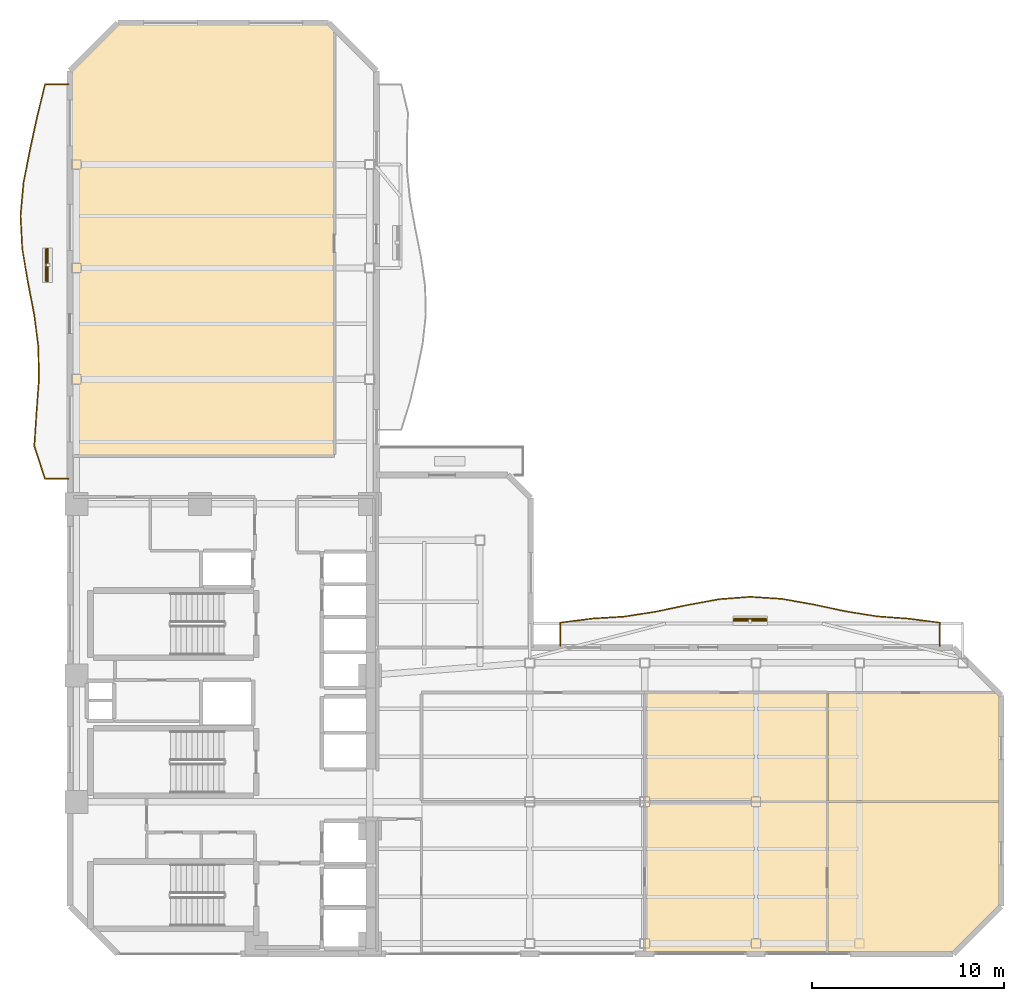
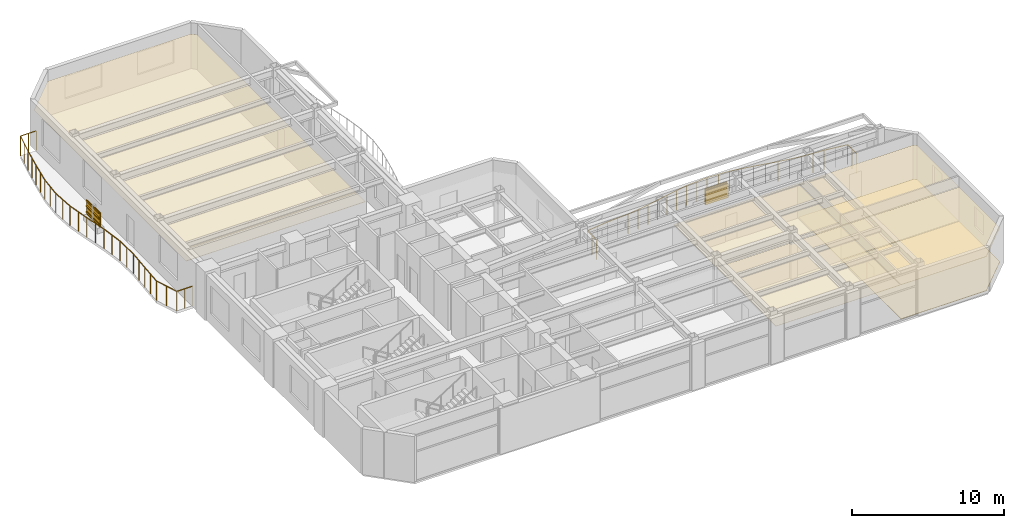
# One storey, part 14 of 15: 8 shading devices, 7 coverings, 2 railings.
"""IFC4 building model written with IfcOpenShell, lengths in metres."""

from ifc_helpers import new_model, si_unit, direction, frame, origin, origin_2d, place, context, subcontext, project, spatial, polyline, rectangle, outline, extrude, material, layer, layer_set, material_profile, profile_set, type_object, element, save


model = new_model("IFC4")

# Units and contexts
model_context = context("Model", 3, precision=1e-05, world=origin(), true_north=direction((0.0, 1.0)))
body_context = subcontext(model_context, "Body", "Model", "MODEL_VIEW")
ifc_project = project(units=[si_unit("LENGTHUNIT", "METRE"), si_unit("AREAUNIT", "SQUARE_METRE"), si_unit("VOLUMEUNIT", "CUBIC_METRE"), si_unit("PLANEANGLEUNIT", "RADIAN"), si_unit("MASSUNIT", "GRAM", prefix="KILO")], contexts=[model_context])

# Site, building, storey
site_placement = place(None, origin())
site = spatial("IfcSite", under=ifc_project, at=site_placement, CompositionType="ELEMENT")
building_placement = place(site_placement, origin())
building = spatial("IfcBuilding", under=site, at=building_placement, Name="Mawjaban Terraces University", CompositionType="ELEMENT")
storey_placement = place(building_placement, frame((0.0, 0.0, 142.39990234375)))
storey = spatial("IfcBuildingStorey", under=building, at=storey_placement, Name="L34", CompositionType="ELEMENT", Elevation=142.39990234375)

# Coverings
ifc_material_1 = material(Name="Acoustic mineral fibre ceiling tile", Category="masonry")
ifc_layer_1 = layer(ifc_material_1, 0.02001953125)
ifc_layer_set_1 = layer_set([ifc_layer_1], Name="Acoustic mineral fibre ceiling tile")
covering_type_1 = type_object("IfcCoveringType", Name="AcousticMineralCeiling_20", PredefinedType="CEILING", material=ifc_layer_set_1)
covering_1_placement = place(storey_placement, frame((0.0, 0.0, 2.75)))
element("IfcCovering", 1, at=covering_1_placement, inside=storey, type_object=covering_type_1, Name="L34 Graduate Study Lounge 4 Acoustic Ceiling", PredefinedType="CEILING", context=body_context, shape_type="SweptSolid", body=[
    extrude(outline(polyline([(52.030029296875, 0.114990234375), (61.4951171875, 0.114990234375), (61.4951171875, 7.919921875), (52.030029296875, 7.919921875), (52.030029296875, 0.114990234375)])), origin(), (0.0, 0.0, 1.0), 0.02001953125),
])
covering_2_placement = place(storey_placement, frame((0.0, 0.0, 2.75)))
element("IfcCovering", 2, at=covering_2_placement, inside=storey, type_object=covering_type_1, Name="L34 Collaborative Study Room 5 Acoustic Ceiling", PredefinedType="CEILING", context=body_context, shape_type="SweptSolid", body=[
    extrude(outline(polyline([(61.4951171875, 7.97998046875), (61.4951171875, 13.6201171875), (52.030029296875, 13.6201171875), (52.030029296875, 7.97998046875), (61.4951171875, 7.97998046875)])), origin(), (0.0, 0.0, 1.0), 0.02001953125),
])
covering_3_placement = place(storey_placement, frame((0.0, 0.0, 2.75)))
element("IfcCovering", 3, at=covering_3_placement, inside=storey, type_object=covering_type_1, Name="L34 Classroom 6 Acoustic Ceiling", PredefinedType="CEILING", context=body_context, shape_type="SweptSolid", body=[
    extrude(outline(polyline([(61.554931640625, 0.114990234375), (68.052978515625, 0.114990234375), (70.485107421875, 2.547119140625), (70.485107421875, 7.919921875), (61.554931640625, 7.919921875), (61.554931640625, 0.114990234375)])), origin(), (0.0, 0.0, 1.0), 0.02001953125),
])
covering_4_placement = place(storey_placement, frame((0.0, 0.0, 2.75)))
element("IfcCovering", 4, at=covering_4_placement, inside=storey, type_object=covering_type_1, Name="L34 Seminar Room 7 Acoustic Ceiling", PredefinedType="CEILING", context=body_context, shape_type="SweptSolid", body=[
    extrude(outline(polyline([(70.485107421875, 7.97998046875), (70.485107421875, 13.452880859375), (70.318115234375, 13.6201171875), (61.554931640625, 13.6201171875), (61.554931640625, 7.97998046875), (70.485107421875, 7.97998046875)])), origin(), (0.0, 0.0, 1.0), 0.02001953125),
])
covering_5_placement = place(storey_placement, frame((0.0, 0.0, 2.75)))
element("IfcCovering", 5, at=covering_5_placement, inside=storey, type_object=covering_type_1, Name="L34 Collaborative Study Room 8 Acoustic Ceiling", PredefinedType="CEILING", context=body_context, shape_type="SweptSolid", body=[
    extrude(outline(polyline([(35.77001953125, 48.16796875), (35.452880859375, 48.485107421875), (24.547119140625, 48.485107421875), (22.114990234375, 46.052978515625), (22.114990234375, 26.030029296875), (35.77001953125, 26.030029296875), (35.77001953125, 48.16796875)])), origin(), (0.0, 0.0, 1.0), 0.02001953125),
])

# Railings
ifc_material_2 = material(Name="Galvanised powder-coated steel S355", Category="steel")
railing_type = type_object("IfcRailingType", Name="BalconyBalustrade_1600", PredefinedType="BALUSTRADE", material=ifc_material_2)
railing_1_placement = place(storey_placement, frame((21.919921875, 24.800048828125, 0.0)))
element("IfcRailing", 6, at=railing_1_placement, inside=storey, type_object=railing_type, Name="L34 Balcony Guardrail west", PredefinedType="BALUSTRADE", context=body_context, shape_type="SweptSolid", body=[
    extrude(rectangle(XDim=0.048095703125, YDim=0.048095703125, at=origin_2d()), frame((0.0, 0.0, 1.576171875), z_axis=(-1.0, 0.0, 0.0), x_axis=(0.0, -1.0, 0.0)), (0.0, 0.0, 1.0), 1.219970703125),
    extrude(rectangle(XDim=0.048095703125, YDim=0.048095703125, at=origin_2d()), frame((-1.219970703125, 0.0, 1.576171875), z_axis=(-0.310586221514, 0.950545211448, 0.0), x_axis=(-0.950545211448, -0.310586221514, 0.0)), (0.0, 0.0, 1.0), 1.806396484375),
    extrude(rectangle(XDim=0.048095703125, YDim=0.048095703125, at=origin_2d()), frame((-1.781005859375, 1.717041015625, 1.576171875), z_axis=(0.064605783038, 0.997910864155, 0.0), x_axis=(-0.997910864155, 0.064605783038, 0.0)), (0.0, 0.0, 1.0), 1.719482421875),
    extrude(rectangle(XDim=0.048095703125, YDim=0.048095703125, at=origin_2d()), frame((-1.669921875, 3.432861328125, 1.576171875), z_axis=(0.073171731503, 0.997319355928, 0.0), x_axis=(-0.997319355928, 0.073171731503, 0.0)), (0.0, 0.0, 1.0), 1.7216796875),
    extrude(rectangle(XDim=0.048095703125, YDim=0.048095703125, at=origin_2d()), frame((-1.5439453125, 5.14990234375, 1.576171875), z_axis=(-0.014501531981, 0.999894847257, 0.0), x_axis=(-0.999894847257, -0.014501531981, 0.0)), (0.0, 0.0, 1.0), 1.71728515625),
    extrude(rectangle(XDim=0.048095703125, YDim=0.048095703125, at=origin_2d()), frame((-1.56884765625, 6.866943359375, 1.576171875), z_axis=(-0.127142957302, 0.991884402745, 0.0), x_axis=(-0.991884402745, -0.127142957302, 0.0)), (0.0, 0.0, 1.0), 1.730224609375),
    extrude(rectangle(XDim=0.048095703125, YDim=0.048095703125, at=origin_2d()), frame((-1.788818359375, 8.5830078125, 1.576171875), z_axis=(-0.190933166115, 0.981603038951, 0.0), x_axis=(-0.981603038951, -0.190933166115, 0.0)), (0.0, 0.0, 1.0), 1.749267578125),
    extrude(rectangle(XDim=0.048095703125, YDim=0.048095703125, at=origin_2d()), frame((-2.122802734375, 10.300048828125, 1.576171875), z_axis=(-0.16494483583, 0.986302793838, 0.0), x_axis=(-0.986302793838, -0.16494483583, 0.0)), (0.0, 0.0, 1.0), 1.74072265625),
    extrude(rectangle(XDim=0.048095703125, YDim=0.048095703125, at=origin_2d()), frame((-2.409912109375, 12.016845703125, 1.576171875), z_axis=(-0.05299131101, 0.998594973429, 0.0), x_axis=(-0.998594973429, -0.05299131101, 0.0)), (0.0, 0.0, 1.0), 1.718505859375),
    extrude(rectangle(XDim=0.048095703125, YDim=0.048095703125, at=origin_2d()), frame((-2.5009765625, 13.73291015625, 1.576171875), z_axis=(0.090484675787, 0.995897847898, 0.0), x_axis=(-0.995897847898, 0.090484675787, 0.0)), (0.0, 0.0, 1.0), 1.72412109375),
    extrude(rectangle(XDim=0.048095703125, YDim=0.048095703125, at=origin_2d()), frame((-2.344970703125, 15.449951171875, 1.576171875), z_axis=(0.191471011635, 0.981498268824, 0.0), x_axis=(-0.981498268824, 0.191471011635, 0.0)), (0.0, 0.0, 1.0), 1.74951171875),
    extrude(rectangle(XDim=0.048095703125, YDim=0.048095703125, at=origin_2d()), frame((-2.010009765625, 17.1669921875, 1.576171875), z_axis=(0.2118927879, 0.977292917418, 0.0), x_axis=(-0.977292917418, 0.2118927879, 0.0)), (0.0, 0.0, 1.0), 1.755859375),
    extrude(rectangle(XDim=0.048095703125, YDim=0.048095703125, at=origin_2d()), frame((-1.637939453125, 18.883056640625, 1.576171875), z_axis=(0.236549016083, 0.971619556715, 0.0), x_axis=(-0.971619556715, 0.236549016083, 0.0)), (0.0, 0.0, 1.0), 1.766845703125),
    extrude(rectangle(XDim=0.048095703125, YDim=0.048095703125, at=origin_2d()), frame((-1.219970703125, 20.599853515625, 1.576171875), z_axis=(1.0, 0.0, 0.0), x_axis=(0.0, 1.0, 0.0)), (0.0, 0.0, 1.0), 1.219970703125),
    extrude(rectangle(XDim=0.0419921875, YDim=0.0419921875, at=origin_2d()), origin(), (0.0, 0.0, 1.0), 1.552001953125),
    extrude(rectangle(XDim=0.0419921875, YDim=0.0419921875, at=origin_2d()), frame((-0.60986328125, 0.0, 0.0)), (0.0, 0.0, 1.0), 1.552001953125),
    extrude(rectangle(XDim=0.0419921875, YDim=0.0419921875, at=origin_2d()), frame((-1.219970703125, 0.0, 0.0)), (0.0, 0.0, 1.0), 1.552001953125),
    extrude(rectangle(XDim=0.0419921875, YDim=0.0419921875, at=origin_2d()), frame((-1.50048828125, 0.8583984375, 0.0)), (0.0, 0.0, 1.0), 1.552001953125),
    extrude(rectangle(XDim=0.0419921875, YDim=0.0419921875, at=origin_2d()), frame((-1.781005859375, 1.717041015625, 0.0)), (0.0, 0.0, 1.0), 1.552001953125),
    extrude(rectangle(XDim=0.0419921875, YDim=0.0419921875, at=origin_2d()), frame((-1.7255859375, 2.574951171875, 0.0)), (0.0, 0.0, 1.0), 1.552001953125),
    extrude(rectangle(XDim=0.0419921875, YDim=0.0419921875, at=origin_2d()), frame((-1.669921875, 3.432861328125, 0.0)), (0.0, 0.0, 1.0), 1.552001953125),
    extrude(rectangle(XDim=0.0419921875, YDim=0.0419921875, at=origin_2d()), frame((-1.60693359375, 4.29150390625, 0.0)), (0.0, 0.0, 1.0), 1.552001953125),
    extrude(rectangle(XDim=0.0419921875, YDim=0.0419921875, at=origin_2d()), frame((-1.5439453125, 5.14990234375, 0.0)), (0.0, 0.0, 1.0), 1.552001953125),
    extrude(rectangle(XDim=0.0419921875, YDim=0.0419921875, at=origin_2d()), frame((-1.556396484375, 6.00830078125, 0.0)), (0.0, 0.0, 1.0), 1.552001953125),
    extrude(rectangle(XDim=0.0419921875, YDim=0.0419921875, at=origin_2d()), frame((-1.56884765625, 6.866943359375, 0.0)), (0.0, 0.0, 1.0), 1.552001953125),
    extrude(rectangle(XDim=0.0419921875, YDim=0.0419921875, at=origin_2d()), frame((-1.6787109375, 7.72509765625, 0.0)), (0.0, 0.0, 1.0), 1.552001953125),
    extrude(rectangle(XDim=0.0419921875, YDim=0.0419921875, at=origin_2d()), frame((-1.788818359375, 8.5830078125, 0.0)), (0.0, 0.0, 1.0), 1.552001953125),
    extrude(rectangle(XDim=0.0419921875, YDim=0.0419921875, at=origin_2d()), frame((-1.955810546875, 9.44140625, 0.0)), (0.0, 0.0, 1.0), 1.552001953125),
    extrude(rectangle(XDim=0.0419921875, YDim=0.0419921875, at=origin_2d()), frame((-2.122802734375, 10.300048828125, 0.0)), (0.0, 0.0, 1.0), 1.552001953125),
    extrude(rectangle(XDim=0.0419921875, YDim=0.0419921875, at=origin_2d()), frame((-2.266357421875, 11.158447265625, 0.0)), (0.0, 0.0, 1.0), 1.552001953125),
    extrude(rectangle(XDim=0.0419921875, YDim=0.0419921875, at=origin_2d()), frame((-2.409912109375, 12.016845703125, 0.0)), (0.0, 0.0, 1.0), 1.552001953125),
    extrude(rectangle(XDim=0.0419921875, YDim=0.0419921875, at=origin_2d()), frame((-2.45556640625, 12.875, 0.0)), (0.0, 0.0, 1.0), 1.552001953125),
    extrude(rectangle(XDim=0.0419921875, YDim=0.0419921875, at=origin_2d()), frame((-2.5009765625, 13.73291015625, 0.0)), (0.0, 0.0, 1.0), 1.552001953125),
    extrude(rectangle(XDim=0.0419921875, YDim=0.0419921875, at=origin_2d()), frame((-2.4228515625, 14.59130859375, 0.0)), (0.0, 0.0, 1.0), 1.552001953125),
    extrude(rectangle(XDim=0.0419921875, YDim=0.0419921875, at=origin_2d()), frame((-2.344970703125, 15.449951171875, 0.0)), (0.0, 0.0, 1.0), 1.552001953125),
    extrude(rectangle(XDim=0.0419921875, YDim=0.0419921875, at=origin_2d()), frame((-2.177490234375, 16.30859375, 0.0)), (0.0, 0.0, 1.0), 1.552001953125),
    extrude(rectangle(XDim=0.0419921875, YDim=0.0419921875, at=origin_2d()), frame((-2.010009765625, 17.1669921875, 0.0)), (0.0, 0.0, 1.0), 1.552001953125),
    extrude(rectangle(XDim=0.0419921875, YDim=0.0419921875, at=origin_2d()), frame((-1.823974609375, 18.02490234375, 0.0)), (0.0, 0.0, 1.0), 1.552001953125),
    extrude(rectangle(XDim=0.0419921875, YDim=0.0419921875, at=origin_2d()), frame((-1.637939453125, 18.883056640625, 0.0)), (0.0, 0.0, 1.0), 1.552001953125),
    extrude(rectangle(XDim=0.0419921875, YDim=0.0419921875, at=origin_2d()), frame((-1.428955078125, 19.741455078125, 0.0)), (0.0, 0.0, 1.0), 1.552001953125),
    extrude(rectangle(XDim=0.0419921875, YDim=0.0419921875, at=origin_2d()), frame((-1.219970703125, 20.599853515625, 0.0)), (0.0, 0.0, 1.0), 1.552001953125),
    extrude(rectangle(XDim=0.0419921875, YDim=0.0419921875, at=origin_2d()), frame((-0.60986328125, 20.599853515625, 0.0)), (0.0, 0.0, 1.0), 1.552001953125),
    extrude(rectangle(XDim=0.0419921875, YDim=0.0419921875, at=origin_2d()), frame((0.0, 20.599853515625, 0.0)), (0.0, 0.0, 1.0), 1.552001953125),
])
railing_2_placement = place(storey_placement, frame((47.59912109375, 16.080078125, 0.0)))
element("IfcRailing", 7, at=railing_2_placement, inside=storey, type_object=railing_type, Name="L34 Balcony Guardrail inner_north", PredefinedType="BALUSTRADE", context=body_context, shape_type="SweptSolid", body=[
    extrude(rectangle(XDim=0.048095703125, YDim=0.048095703125, at=origin_2d()), frame((0.0, 0.0, 1.576171875), z_axis=(0.0, 1.0, 0.0), x_axis=(-1.0, 0.0, 0.0)), (0.0, 0.0, 1.0), 1.219970703125),
    extrude(rectangle(XDim=0.048095703125, YDim=0.048095703125, at=origin_2d()), frame((0.0, 1.219970703125, 1.576171875), z_axis=(0.991777866634, 0.12797133763, 0.0), x_axis=(-0.12797133763, 0.991777866634, 0.0)), (0.0, 0.0, 1.0), 1.66357421875),
    extrude(rectangle(XDim=0.048095703125, YDim=0.048095703125, at=origin_2d()), frame((1.64990234375, 1.432861328125, 1.576171875), z_axis=(0.99809259794, 0.061734641305, 0.0), x_axis=(-0.061734641305, 0.99809259794, 0.0)), (0.0, 0.0, 1.0), 1.653076171875),
    extrude(rectangle(XDim=0.048095703125, YDim=0.048095703125, at=origin_2d()), frame((3.2998046875, 1.534912109375, 1.576171875), z_axis=(0.988456078413, 0.151507693037, 0.0), x_axis=(-0.151507693037, 0.988456078413, 0.0)), (0.0, 0.0, 1.0), 1.66943359375),
    extrude(rectangle(XDim=0.048095703125, YDim=0.048095703125, at=origin_2d()), frame((4.949951171875, 1.787841796875, 1.576171875), z_axis=(0.97857128869, 0.205908312003, 0.0), x_axis=(-0.205908312003, 0.97857128869, 0.0)), (0.0, 0.0, 1.0), 1.68603515625),
    extrude(rectangle(XDim=0.048095703125, YDim=0.048095703125, at=origin_2d()), frame((6.599853515625, 2.135009765625, 1.576171875), z_axis=(0.983351397063, 0.181714143354, 0.0), x_axis=(-0.181714143354, 0.983351397063, 0.0)), (0.0, 0.0, 1.0), 1.677978515625),
    extrude(rectangle(XDim=0.048095703125, YDim=0.048095703125, at=origin_2d()), frame((8.25, 2.43994140625, 1.576171875), z_axis=(0.996915788959, 0.078478721475, 0.0), x_axis=(-0.078478721475, 0.996915788959, 0.0)), (0.0, 0.0, 1.0), 1.655029296875),
    extrude(rectangle(XDim=0.048095703125, YDim=0.048095703125, at=origin_2d()), frame((9.89990234375, 2.56982421875, 1.576171875), z_axis=(0.997946664586, -0.064050407044, 0.0), x_axis=(0.064050407044, 0.997946664586, 0.0)), (0.0, 0.0, 1.0), 1.654296875),
    extrude(rectangle(XDim=0.048095703125, YDim=0.048095703125, at=origin_2d()), frame((11.55078125, 2.4638671875, 1.576171875), z_axis=(0.984602648233, -0.174807394271, 0.0), x_axis=(0.174807394271, 0.984602648233, 0.0)), (0.0, 0.0, 1.0), 1.676025390625),
    extrude(rectangle(XDim=0.048095703125, YDim=0.048095703125, at=origin_2d()), frame((13.200927734375, 2.1708984375, 1.576171875), z_axis=(0.978102167912, -0.208125320725, 0.0), x_axis=(0.208125320725, 0.978102167912, 0.0)), (0.0, 0.0, 1.0), 1.686767578125),
    extrude(rectangle(XDim=0.048095703125, YDim=0.048095703125, at=origin_2d()), frame((14.850830078125, 1.81982421875, 1.576171875), z_axis=(0.987083640543, -0.160205763231, 0.0), x_axis=(0.160205763231, 0.987083640543, 0.0)), (0.0, 0.0, 1.0), 1.671630859375),
    extrude(rectangle(XDim=0.048095703125, YDim=0.048095703125, at=origin_2d()), frame((16.5009765625, 1.552001953125, 1.576171875), z_axis=(0.997317456816, -0.073197611509, 0.0), x_axis=(0.073197611509, 0.997317456816, 0.0)), (0.0, 0.0, 1.0), 1.654296875),
    extrude(rectangle(XDim=0.048095703125, YDim=0.048095703125, at=origin_2d()), frame((18.15087890625, 1.430908203125, 1.576171875), z_axis=(0.991926225674, -0.126816256138, 0.0), x_axis=(0.126816256138, 0.991926225674, 0.0)), (0.0, 0.0, 1.0), 1.663330078125),
    extrude(rectangle(XDim=0.048095703125, YDim=0.048095703125, at=origin_2d()), frame((19.80078125, 1.219970703125, 1.576171875), z_axis=(0.0, -1.0, 0.0), x_axis=(1.0, 0.0, 0.0)), (0.0, 0.0, 1.0), 1.219970703125),
    extrude(rectangle(XDim=0.0419921875, YDim=0.0419921875, at=origin_2d()), origin(), (0.0, 0.0, 1.0), 1.552001953125),
    extrude(rectangle(XDim=0.0419921875, YDim=0.0419921875, at=origin_2d()), frame((0.0, 0.60986328125, 0.0)), (0.0, 0.0, 1.0), 1.552001953125),
    extrude(rectangle(XDim=0.0419921875, YDim=0.0419921875, at=origin_2d()), frame((0.0, 1.219970703125, 0.0)), (0.0, 0.0, 1.0), 1.552001953125),
    extrude(rectangle(XDim=0.0419921875, YDim=0.0419921875, at=origin_2d()), frame((0.824951171875, 1.326416015625, 0.0)), (0.0, 0.0, 1.0), 1.552001953125),
    extrude(rectangle(XDim=0.0419921875, YDim=0.0419921875, at=origin_2d()), frame((1.64990234375, 1.432861328125, 0.0)), (0.0, 0.0, 1.0), 1.552001953125),
    extrude(rectangle(XDim=0.0419921875, YDim=0.0419921875, at=origin_2d()), frame((2.474853515625, 1.48388671875, 0.0)), (0.0, 0.0, 1.0), 1.552001953125),
    extrude(rectangle(XDim=0.0419921875, YDim=0.0419921875, at=origin_2d()), frame((3.2998046875, 1.534912109375, 0.0)), (0.0, 0.0, 1.0), 1.552001953125),
    extrude(rectangle(XDim=0.0419921875, YDim=0.0419921875, at=origin_2d()), frame((4.125, 1.661376953125, 0.0)), (0.0, 0.0, 1.0), 1.552001953125),
    extrude(rectangle(XDim=0.0419921875, YDim=0.0419921875, at=origin_2d()), frame((4.949951171875, 1.787841796875, 0.0)), (0.0, 0.0, 1.0), 1.552001953125),
    extrude(rectangle(XDim=0.0419921875, YDim=0.0419921875, at=origin_2d()), frame((5.77490234375, 1.96142578125, 0.0)), (0.0, 0.0, 1.0), 1.552001953125),
    extrude(rectangle(XDim=0.0419921875, YDim=0.0419921875, at=origin_2d()), frame((6.599853515625, 2.135009765625, 0.0)), (0.0, 0.0, 1.0), 1.552001953125),
    extrude(rectangle(XDim=0.0419921875, YDim=0.0419921875, at=origin_2d()), frame((7.4248046875, 2.28759765625, 0.0)), (0.0, 0.0, 1.0), 1.552001953125),
    extrude(rectangle(XDim=0.0419921875, YDim=0.0419921875, at=origin_2d()), frame((8.25, 2.43994140625, 0.0)), (0.0, 0.0, 1.0), 1.552001953125),
    extrude(rectangle(XDim=0.0419921875, YDim=0.0419921875, at=origin_2d()), frame((9.074951171875, 2.5048828125, 0.0)), (0.0, 0.0, 1.0), 1.552001953125),
    extrude(rectangle(XDim=0.0419921875, YDim=0.0419921875, at=origin_2d()), frame((9.89990234375, 2.56982421875, 0.0)), (0.0, 0.0, 1.0), 1.552001953125),
    extrude(rectangle(XDim=0.0419921875, YDim=0.0419921875, at=origin_2d()), frame((10.725341796875, 2.516845703125, 0.0)), (0.0, 0.0, 1.0), 1.552001953125),
    extrude(rectangle(XDim=0.0419921875, YDim=0.0419921875, at=origin_2d()), frame((11.55078125, 2.4638671875, 0.0)), (0.0, 0.0, 1.0), 1.552001953125),
    extrude(rectangle(XDim=0.0419921875, YDim=0.0419921875, at=origin_2d()), frame((12.3759765625, 2.3173828125, 0.0)), (0.0, 0.0, 1.0), 1.552001953125),
    extrude(rectangle(XDim=0.0419921875, YDim=0.0419921875, at=origin_2d()), frame((13.200927734375, 2.1708984375, 0.0)), (0.0, 0.0, 1.0), 1.552001953125),
    extrude(rectangle(XDim=0.0419921875, YDim=0.0419921875, at=origin_2d()), frame((14.02587890625, 1.995361328125, 0.0)), (0.0, 0.0, 1.0), 1.552001953125),
    extrude(rectangle(XDim=0.0419921875, YDim=0.0419921875, at=origin_2d()), frame((14.850830078125, 1.81982421875, 0.0)), (0.0, 0.0, 1.0), 1.552001953125),
    extrude(rectangle(XDim=0.0419921875, YDim=0.0419921875, at=origin_2d()), frame((15.67578125, 1.68603515625, 0.0)), (0.0, 0.0, 1.0), 1.552001953125),
    extrude(rectangle(XDim=0.0419921875, YDim=0.0419921875, at=origin_2d()), frame((16.5009765625, 1.552001953125, 0.0)), (0.0, 0.0, 1.0), 1.552001953125),
    extrude(rectangle(XDim=0.0419921875, YDim=0.0419921875, at=origin_2d()), frame((17.325927734375, 1.491455078125, 0.0)), (0.0, 0.0, 1.0), 1.552001953125),
    extrude(rectangle(XDim=0.0419921875, YDim=0.0419921875, at=origin_2d()), frame((18.15087890625, 1.430908203125, 0.0)), (0.0, 0.0, 1.0), 1.552001953125),
    extrude(rectangle(XDim=0.0419921875, YDim=0.0419921875, at=origin_2d()), frame((18.975830078125, 1.325439453125, 0.0)), (0.0, 0.0, 1.0), 1.552001953125),
    extrude(rectangle(XDim=0.0419921875, YDim=0.0419921875, at=origin_2d()), frame((19.80078125, 1.219970703125, 0.0)), (0.0, 0.0, 1.0), 1.552001953125),
    extrude(rectangle(XDim=0.0419921875, YDim=0.0419921875, at=origin_2d()), frame((19.80078125, 0.60986328125, 0.0)), (0.0, 0.0, 1.0), 1.552001953125),
    extrude(rectangle(XDim=0.0419921875, YDim=0.0419921875, at=origin_2d()), frame((19.80078125, 0.0, 0.0)), (0.0, 0.0, 1.0), 1.552001953125),
])

# Shading devices
ifc_material_3 = material(Name="Glazed architectural terracotta ceramic", Category="masonry")
ifc_material_profile = material_profile(ifc_material_3, rectangle(XDim=0.06494140625, YDim=0.110107421875, at=origin_2d()), Name="TBAG110X65")
ifc_profile_set = profile_set([ifc_material_profile], Name="Glazed architectural terracotta ceramic")
shading_device_type_1 = type_object("IfcShadingDeviceType", Name="TerracottaBaguette_110x65", PredefinedType="USERDEFINED", material=ifc_profile_set)
for number, where, z_axis, x_axis, name in (
    (8, (20.7470703125, 35.10888671875, 0.68017578125), (0.0, 1.0, 0.0), (-1.0, 0.0, 0.0), "L34 Horizontal Terracotta Baguette west.1"),
    (9, (20.7470703125, 35.10888671875, 1.150146484375), (0.0, 1.0, 0.0), (-1.0, 0.0, 0.0), "L34 Horizontal Terracotta Baguette west.2"),
    (10, (20.7470703125, 35.10888671875, 1.6201171875), (0.0, 1.0, 0.0), (-1.0, 0.0, 0.0), "L34 Horizontal Terracotta Baguette west.3"),
):
    element("IfcShadingDevice", number, at=place(storey_placement, frame(where, z_axis=z_axis, x_axis=x_axis)), inside=storey, type_object=shading_device_type_1, Name=name, ObjectType="BAGUETTE", PredefinedType="USERDEFINED", context=body_context, shape_type="SweptSolid", body=[
        extrude(rectangle(XDim=0.06494140625, YDim=0.110107421875, at=origin_2d()), origin(), (0.0, 0.0, 1.0), 1.7001953125),
    ])
for number, where, z_axis, x_axis, name in (
    (11, (56.64599609375, 17.489990234375, 0.68017578125), (1.0, 0.0, 0.0), (0.0, 1.0, 0.0), "L34 Horizontal Terracotta Baguette inner_north.1"),
    (12, (56.64599609375, 17.489990234375, 1.150146484375), (1.0, 0.0, 0.0), (0.0, 1.0, 0.0), "L34 Horizontal Terracotta Baguette inner_north.2"),
    (13, (56.64599609375, 17.489990234375, 1.6201171875), (1.0, 0.0, 0.0), (0.0, 1.0, 0.0), "L34 Horizontal Terracotta Baguette inner_north.3"),
):
    element("IfcShadingDevice", number, at=place(storey_placement, frame(where, z_axis=z_axis, x_axis=x_axis)), inside=storey, type_object=shading_device_type_1, Name=name, ObjectType="BAGUETTE", PredefinedType="USERDEFINED", context=body_context, shape_type="SweptSolid", body=[
        extrude(rectangle(XDim=0.06494140625, YDim=0.110107421875, at=origin_2d()), origin(), (0.0, 0.0, 1.0), 1.699951171875),
    ])
ifc_layer_2 = layer(ifc_material_3, 0.080078125)
ifc_layer_set_2 = layer_set([ifc_layer_2], Name="Glazed architectural terracotta ceramic")
shading_device_type_2 = type_object("IfcShadingDeviceType", Name="TerracottaScreen_Perforated", PredefinedType="USERDEFINED", material=ifc_layer_set_2)
for number, where, z_axis, x_axis, name in (
    (14, (20.83203125, 35.958984375, 0.440185546875), (0.0, 0.0, 1.0), (0.0, 1.0, 0.0), "L34 Balcony Perforated Terracotta Screen west"),
    (15, (57.49609375, 17.405029296875, 0.440185546875), (0.0, 0.0, 1.0), (1.0, 0.0, 0.0), "L34 Balcony Perforated Terracotta Screen inner_north"),
):
    element("IfcShadingDevice", number, at=place(storey_placement, frame(where, z_axis=z_axis, x_axis=x_axis)), inside=storey, type_object=shading_device_type_2, Name=name, ObjectType="SCREEN", PredefinedType="USERDEFINED", context=body_context, shape_type="SweptSolid", body=[
        extrude(rectangle(XDim=1.75, YDim=0.080078125, at=origin_2d()), origin(), (0.0, 0.0, 1.0), 1.14990234375),
    ])

# Coverings
ifc_material_4 = material(Name="Polished Hijazi granite terrazzo flooring", Category="masonry")
ifc_layer_3 = layer(ifc_material_4, 0.02490234375)
ifc_layer_set_3 = layer_set([ifc_layer_3], Name="Polished Hijazi granite terrazzo flooring")
covering_type_2 = type_object("IfcCoveringType", Name="TerrazzoConcourseFlooring_25", PredefinedType="FLOORING", material=ifc_layer_set_3)
covering_6_placement = place(storey_placement, origin())
element("IfcCovering", 16, at=covering_6_placement, inside=storey, type_object=covering_type_2, Name="L34 Classroom 6 Terrazzo Flooring", PredefinedType="FLOORING", context=body_context, shape_type="SweptSolid", body=[
    extrude(outline(polyline([(61.554931640625, 0.114990234375), (68.052978515625, 0.114990234375), (70.485107421875, 2.547119140625), (70.485107421875, 7.919921875), (61.554931640625, 7.919921875), (61.554931640625, 0.114990234375)])), origin(), (0.0, 0.0, 1.0), 0.025146484375),
])
covering_7_placement = place(storey_placement, origin())
element("IfcCovering", 17, at=covering_7_placement, inside=storey, type_object=covering_type_2, Name="L34 Seminar Room 7 Terrazzo Flooring", PredefinedType="FLOORING", context=body_context, shape_type="SweptSolid", body=[
    extrude(outline(polyline([(70.485107421875, 7.97998046875), (70.485107421875, 13.452880859375), (70.318115234375, 13.6201171875), (61.554931640625, 13.6201171875), (61.554931640625, 7.97998046875), (70.485107421875, 7.97998046875)])), origin(), (0.0, 0.0, 1.0), 0.025146484375),
])

save(model, "model.ifc")
